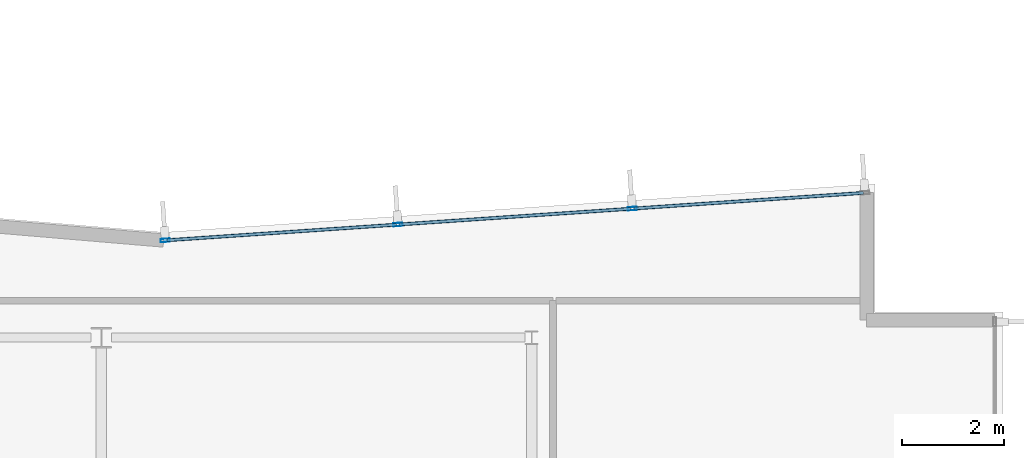
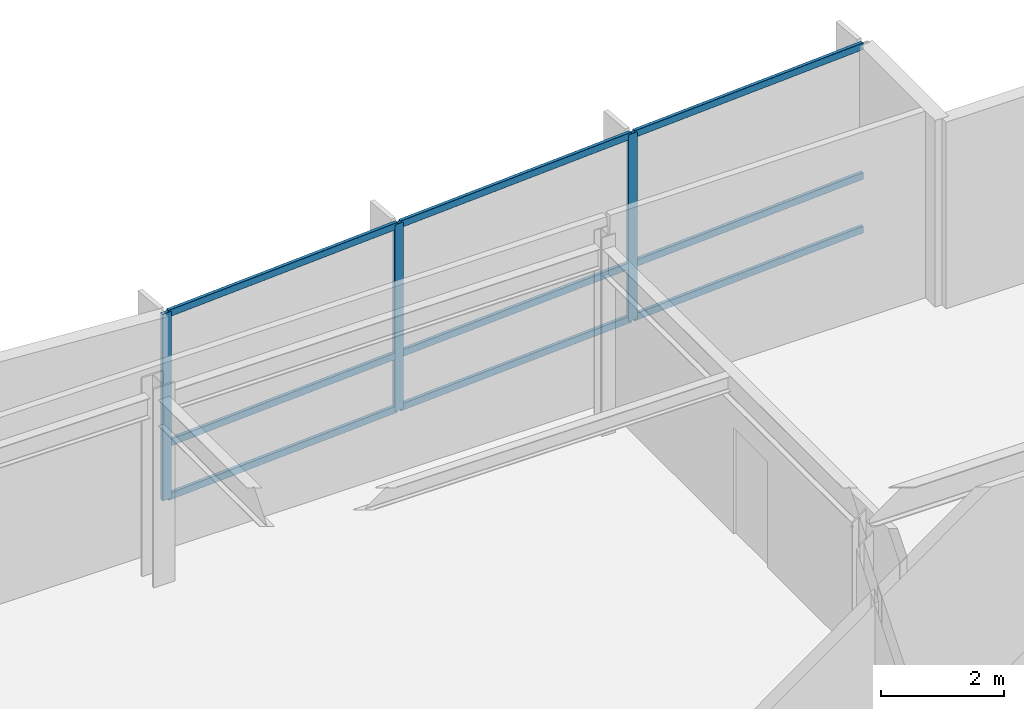
# One storey, part 7 of 17: 12 members, 1 element without a shape of its own.
"""IFC4 building model written with IfcOpenShell, lengths in metres."""

from ifc_helpers import new_model, si_unit, direction, frame, origin, origin_2d, place, context, subcontext, project, spatial, hollow_rectangle, extrude, material, layer, layer_set, material_profile, profile_set, type_object, element, aggregate, save


model = new_model("IFC4")

# Units and contexts
model_context = context("Model", 3, precision=1e-05, world=origin(), true_north=direction((0.0, 1.0)))
body_context = subcontext(model_context, "Body", "Model", "MODEL_VIEW")
ifc_project = project(units=[si_unit("LENGTHUNIT", "METRE"), si_unit("AREAUNIT", "SQUARE_METRE"), si_unit("VOLUMEUNIT", "CUBIC_METRE"), si_unit("PLANEANGLEUNIT", "RADIAN"), si_unit("MASSUNIT", "GRAM", prefix="KILO")], contexts=[model_context])

# Site, building, storey
site_placement = place(None, origin())
site = spatial("IfcSite", under=ifc_project, at=site_placement, CompositionType="ELEMENT")
building_placement = place(site_placement, origin())
building = spatial("IfcBuilding", under=site, at=building_placement, Name="Varnakote Quay Hospital", CompositionType="ELEMENT")
storey_placement = place(building_placement, frame((0.0, 0.0, 227.64990234375)))
storey = spatial("IfcBuildingStorey", under=building, at=storey_placement, Name="L56", CompositionType="ELEMENT", Elevation=227.64990234375)

# Curtain wall, members
ifc_material_1 = material(Name="Anodised aluminium 6063-T6 Bronze", Category="aluminium")
ifc_layer = layer(ifc_material_1, 0.219970703125)
ifc_layer_set = layer_set([ifc_layer], Name="Anodised aluminium 6063-T6 Bronze")
curtain_wall_type = type_object("IfcCurtainWallType", Name="CW-SYS-4", PredefinedType="NOTDEFINED", material=ifc_layer_set)
curtain_wall_placement = place(storey_placement, origin())
curtain_wall = element("IfcCurtainWall", 1, at=curtain_wall_placement, inside=storey, type_object=curtain_wall_type, Name="L56 Unitised Bronze Curtain Wall 2", PredefinedType="NOTDEFINED")
ifc_material_2 = material(Name="Anodised aluminium 6063-T6 Bronze", Category="aluminium")
ifc_material_profile_1 = material_profile(ifc_material_2, hollow_rectangle(XDim=0.06494140625, YDim=0.179931640625, WallThickness=0.00390625, InnerFilletRadius=0.00390625, OuterFilletRadius=0.008056640625, at=origin_2d()), Name="CW-MULL-180x65")
ifc_profile_set_1 = profile_set([ifc_material_profile_1], Name="Anodised aluminium 6063-T6 Bronze")
member_type_1 = type_object("IfcMemberType", Name="CW-MULL-180x65", PredefinedType="MULLION", material=ifc_profile_set_1)
member_1_placement = place(storey_placement, frame((43.96484375, 31.317626953125, 0.0), z_axis=(0.0, 0.0, 1.0), x_axis=(0.067841851077, -0.997696087615, 0.0)))
member_1 = element("IfcMember", 2, at=member_1_placement, type_object=member_type_1, Name="-4-L56-2 mullion 2", PredefinedType="MULLION", context=body_context, shape_type="SweptSolid", body=[
    extrude(hollow_rectangle(XDim=0.06494140625, YDim=0.179931640625, WallThickness=0.00390625, InnerFilletRadius=0.00390625, OuterFilletRadius=0.008056640625, at=origin_2d()), origin(), (0.0, 0.0, 1.0), 3.710205078125),
])
member_2_placement = place(storey_placement, frame((39.389892578125, 31.006591796875, 0.0), z_axis=(0.0, 0.0, 1.0), x_axis=(0.067841851077, -0.997696087615, 0.0)))
member_2 = element("IfcMember", 3, at=member_2_placement, type_object=member_type_1, Name="-4-L56-2 mullion 3", PredefinedType="MULLION", context=body_context, shape_type="SweptSolid", body=[
    extrude(hollow_rectangle(XDim=0.06494140625, YDim=0.179931640625, WallThickness=0.00390625, InnerFilletRadius=0.00390625, OuterFilletRadius=0.008056640625, at=origin_2d()), origin(), (0.0, 0.0, 1.0), 3.710205078125),
])
member_3_placement = place(storey_placement, frame((34.84716796875, 30.69775390625, 0.0), z_axis=(0.0, 0.0, 1.0), x_axis=(0.067841851077, -0.997696087615, 0.0)))
member_3 = element("IfcMember", 4, at=member_3_placement, type_object=member_type_1, Name="-4-L56-2 mullion 4", PredefinedType="MULLION", context=body_context, shape_type="SweptSolid", body=[
    extrude(hollow_rectangle(XDim=0.06494140625, YDim=0.179931640625, WallThickness=0.00390625, InnerFilletRadius=0.00390625, OuterFilletRadius=0.008056640625, at=origin_2d()), origin(), (0.0, 0.0, 1.0), 3.710205078125),
])
ifc_material_3 = material(Name="Anodised aluminium 6063-T6 Bronze", Category="aluminium")
ifc_material_profile_2 = material_profile(ifc_material_3, hollow_rectangle(XDim=0.06494140625, YDim=0.139892578125, WallThickness=0.00390625, InnerFilletRadius=0.00390625, OuterFilletRadius=0.007568359375, at=origin_2d()), Name="CW-TRAN-140x65")
ifc_profile_set_2 = profile_set([ifc_material_profile_2], Name="Anodised aluminium 6063-T6 Bronze")
member_type_2 = type_object("IfcMemberType", Name="CW-TRAN-140x65", PredefinedType="USERDEFINED", material=ifc_profile_set_2)
member_4_placement = place(storey_placement, frame((48.47509765625, 31.62451171875, 0.03271484375), z_axis=(-0.997692996523, -0.067887294022, 0.0), x_axis=(0.067887294022, -0.997692996523, 0.0)))
member_4 = element("IfcMember", 5, at=member_4_placement, type_object=member_type_2, Name="-4-L56-2 transom 1.1", ObjectType="TRANSOM", PredefinedType="USERDEFINED", context=body_context, shape_type="SweptSolid", body=[
    extrude(hollow_rectangle(XDim=0.06494140625, YDim=0.139892578125, WallThickness=0.00390625, InnerFilletRadius=0.00390625, OuterFilletRadius=0.007568359375, at=origin_2d()), origin(), (0.0, 0.0, 1.0), 4.488037109375),
])
member_5_placement = place(storey_placement, frame((48.47509765625, 31.62451171875, 1.10009765625), z_axis=(-0.997692996523, -0.067887294022, 0.0), x_axis=(0.067887294022, -0.997692996523, 0.0)))
member_5 = element("IfcMember", 6, at=member_5_placement, type_object=member_type_2, Name="-4-L56-2 transom 1.2", ObjectType="TRANSOM", PredefinedType="USERDEFINED", context=body_context, shape_type="SweptSolid", body=[
    extrude(hollow_rectangle(XDim=0.06494140625, YDim=0.139892578125, WallThickness=0.00390625, InnerFilletRadius=0.00390625, OuterFilletRadius=0.007568359375, at=origin_2d()), origin(), (0.0, 0.0, 1.0), 4.488037109375),
])
member_6_placement = place(storey_placement, frame((48.47509765625, 31.62451171875, 3.677490234375), z_axis=(-0.997692996523, -0.067887294022, 0.0), x_axis=(0.067887294022, -0.997692996523, 0.0)))
member_6 = element("IfcMember", 7, at=member_6_placement, type_object=member_type_2, Name="-4-L56-2 transom 1.3", ObjectType="TRANSOM", PredefinedType="USERDEFINED", context=body_context, shape_type="SweptSolid", body=[
    extrude(hollow_rectangle(XDim=0.06494140625, YDim=0.139892578125, WallThickness=0.00390625, InnerFilletRadius=0.00390625, OuterFilletRadius=0.007568359375, at=origin_2d()), origin(), (0.0, 0.0, 1.0), 4.488037109375),
])
member_7_placement = place(storey_placement, frame((43.932373046875, 31.3154296875, 0.03271484375), z_axis=(-0.997696835235, -0.06783085553, 0.0), x_axis=(0.06783085553, -0.997696835235, 0.0)))
member_7 = element("IfcMember", 8, at=member_7_placement, type_object=member_type_2, Name="-4-L56-2 transom 2.1", ObjectType="TRANSOM", PredefinedType="USERDEFINED", context=body_context, shape_type="SweptSolid", body=[
    extrude(hollow_rectangle(XDim=0.06494140625, YDim=0.139892578125, WallThickness=0.00390625, InnerFilletRadius=0.00390625, OuterFilletRadius=0.007568359375, at=origin_2d()), origin(), (0.0, 0.0, 1.0), 4.520751953125),
])
member_8_placement = place(storey_placement, frame((43.932373046875, 31.3154296875, 1.10009765625), z_axis=(-0.997696835235, -0.06783085553, 0.0), x_axis=(0.06783085553, -0.997696835235, 0.0)))
member_8 = element("IfcMember", 9, at=member_8_placement, type_object=member_type_2, Name="-4-L56-2 transom 2.2", ObjectType="TRANSOM", PredefinedType="USERDEFINED", context=body_context, shape_type="SweptSolid", body=[
    extrude(hollow_rectangle(XDim=0.06494140625, YDim=0.139892578125, WallThickness=0.00390625, InnerFilletRadius=0.00390625, OuterFilletRadius=0.007568359375, at=origin_2d()), origin(), (0.0, 0.0, 1.0), 4.520751953125),
])
member_9_placement = place(storey_placement, frame((43.932373046875, 31.3154296875, 3.677490234375), z_axis=(-0.997696835235, -0.06783085553, 0.0), x_axis=(0.06783085553, -0.997696835235, 0.0)))
member_9 = element("IfcMember", 10, at=member_9_placement, type_object=member_type_2, Name="-4-L56-2 transom 2.3", ObjectType="TRANSOM", PredefinedType="USERDEFINED", context=body_context, shape_type="SweptSolid", body=[
    extrude(hollow_rectangle(XDim=0.06494140625, YDim=0.139892578125, WallThickness=0.00390625, InnerFilletRadius=0.00390625, OuterFilletRadius=0.007568359375, at=origin_2d()), origin(), (0.0, 0.0, 1.0), 4.520751953125),
])
member_10_placement = place(storey_placement, frame((39.357421875, 31.00439453125, 0.03271484375), z_axis=(-0.997696679404, -0.06783314755, 0.0), x_axis=(0.06783314755, -0.997696679404, 0.0)))
member_10 = element("IfcMember", 11, at=member_10_placement, type_object=member_type_2, Name="-4-L56-2 transom 3.1", ObjectType="TRANSOM", PredefinedType="USERDEFINED", context=body_context, shape_type="SweptSolid", body=[
    extrude(hollow_rectangle(XDim=0.06494140625, YDim=0.139892578125, WallThickness=0.00390625, InnerFilletRadius=0.00390625, OuterFilletRadius=0.007568359375, at=origin_2d()), origin(), (0.0, 0.0, 1.0), 4.488037109375),
])
member_11_placement = place(storey_placement, frame((39.357421875, 31.00439453125, 1.10009765625), z_axis=(-0.997696679404, -0.06783314755, 0.0), x_axis=(0.06783314755, -0.997696679404, 0.0)))
member_11 = element("IfcMember", 12, at=member_11_placement, type_object=member_type_2, Name="-4-L56-2 transom 3.2", ObjectType="TRANSOM", PredefinedType="USERDEFINED", context=body_context, shape_type="SweptSolid", body=[
    extrude(hollow_rectangle(XDim=0.06494140625, YDim=0.139892578125, WallThickness=0.00390625, InnerFilletRadius=0.00390625, OuterFilletRadius=0.007568359375, at=origin_2d()), origin(), (0.0, 0.0, 1.0), 4.488037109375),
])
member_12_placement = place(storey_placement, frame((39.357421875, 31.00439453125, 3.677490234375), z_axis=(-0.997696679404, -0.06783314755, 0.0), x_axis=(0.06783314755, -0.997696679404, 0.0)))
member_12 = element("IfcMember", 13, at=member_12_placement, type_object=member_type_2, Name="-4-L56-2 transom 3.3", ObjectType="TRANSOM", PredefinedType="USERDEFINED", context=body_context, shape_type="SweptSolid", body=[
    extrude(hollow_rectangle(XDim=0.06494140625, YDim=0.139892578125, WallThickness=0.00390625, InnerFilletRadius=0.00390625, OuterFilletRadius=0.007568359375, at=origin_2d()), origin(), (0.0, 0.0, 1.0), 4.488037109375),
])
aggregate(curtain_wall, [member_1, member_2, member_3, member_4, member_5, member_6, member_7, member_8, member_9, member_10, member_11, member_12])

save(model, "model.ifc")
